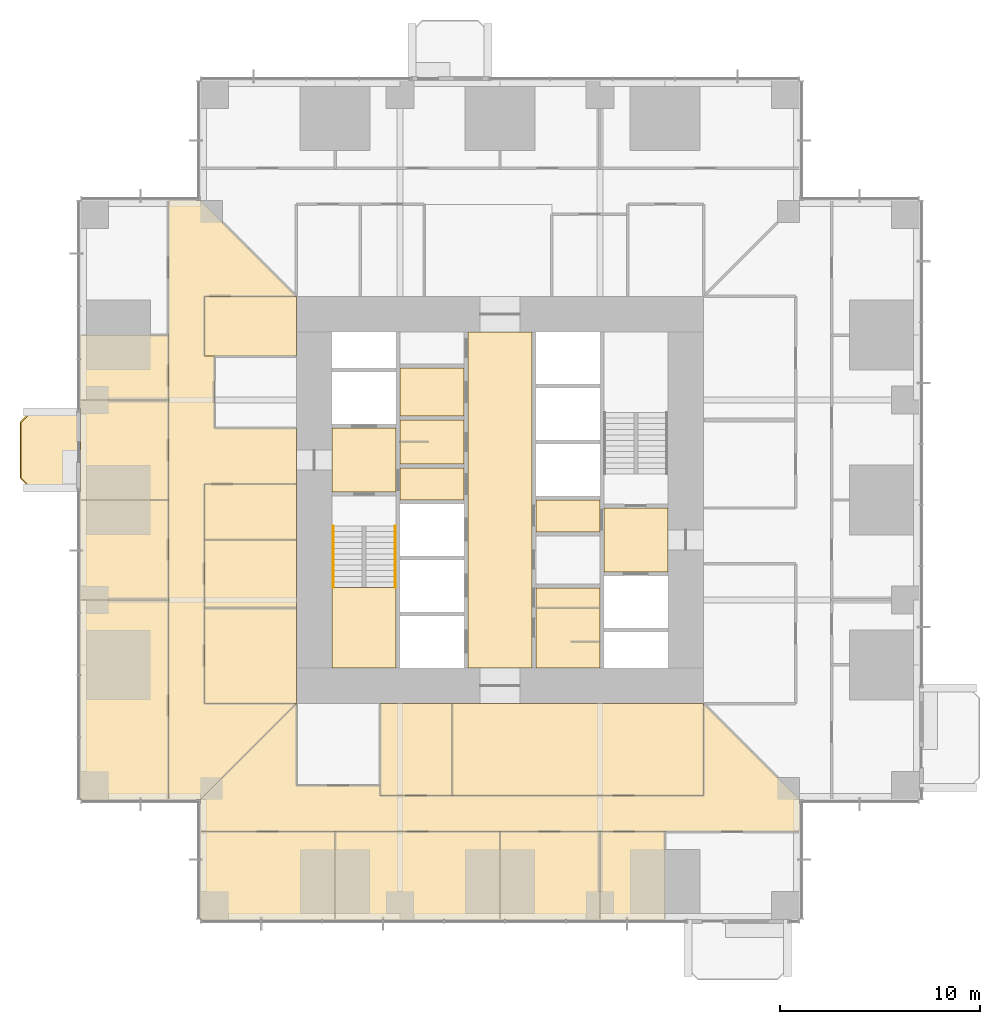
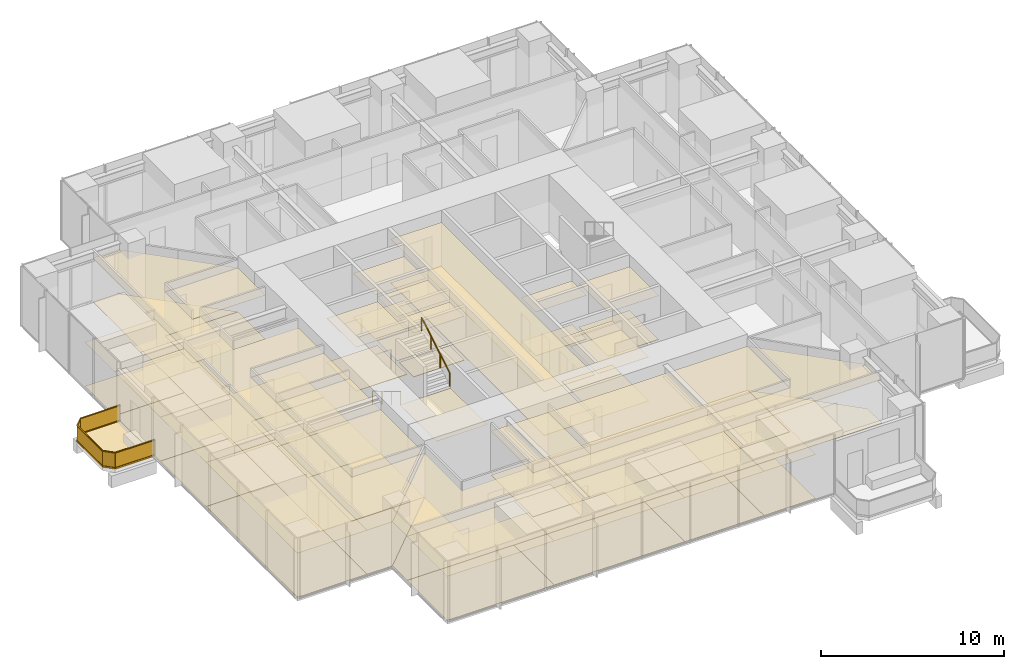
# One storey, part 14 of 17: 52 coverings, 3 railings.
"""IFC4 building model written with IfcOpenShell, lengths in metres."""

from ifc_helpers import new_model, si_unit, direction, frame, origin, origin_2d, place, context, subcontext, project, spatial, polyline, rectangle, circle, outline, extrude, material, layer, layer_set, type_object, element, save


model = new_model("IFC4")

# Units and contexts
model_context = context("Model", 3, precision=1e-05, world=origin(), true_north=direction((0.0, 1.0)))
body_context = subcontext(model_context, "Body", "Model", "MODEL_VIEW")
ifc_project = project(units=[si_unit("LENGTHUNIT", "METRE"), si_unit("AREAUNIT", "SQUARE_METRE"), si_unit("VOLUMEUNIT", "CUBIC_METRE"), si_unit("PLANEANGLEUNIT", "RADIAN"), si_unit("MASSUNIT", "GRAM", prefix="KILO")], contexts=[model_context])

# Site, building, storey
site_placement = place(None, origin())
site = spatial("IfcSite", under=ifc_project, at=site_placement, CompositionType="ELEMENT")
building_placement = place(site_placement, origin())
building = spatial("IfcBuilding", under=site, at=building_placement, Name="Svetlomir Tower", CompositionType="ELEMENT")
storey_placement = place(building_placement, frame((0.0, 0.0, 82.5)))
storey = spatial("IfcBuildingStorey", under=building, at=storey_placement, Name="L19", CompositionType="ELEMENT", Elevation=82.5)

# Railing
ifc_material_1 = material(Name="Bronze anodised aluminium and laminated glass", Category="aluminium")
railing_type_1 = type_object("IfcRailingType", Name="BALCONY GUARD GR1 1100", PredefinedType="GUARDRAIL", material=ifc_material_1)
railing_1_placement = place(storey_placement, frame((0.0, 25.39990234375, 0.0)))
element("IfcRailing", 1, at=railing_1_placement, inside=storey, type_object=railing_type_1, Name="Balcony guard W L19", PredefinedType="GUARDRAIL", context=body_context, shape_type="SweptSolid", body=[
    extrude(rectangle(XDim=0.06005859375, YDim=0.10009765625, at=origin_2d()), frame((0.0, 0.0, 0.050048828125), z_axis=(-1.0, 0.0, 0.0), x_axis=(0.0, -1.0, 0.0)), (0.0, 0.0, 1.0), 2.5),
    extrude(rectangle(XDim=0.021484375, YDim=0.960205078125, at=origin_2d()), frame((0.0, 0.0, 0.580078125), z_axis=(-1.0, 0.0, 0.0), x_axis=(0.0, -1.0, 0.0)), (0.0, 0.0, 1.0), 2.5),
    extrude(rectangle(XDim=0.06005859375, YDim=0.0400390625, at=origin_2d()), frame((0.0, 0.0, 1.080078125), z_axis=(-1.0, 0.0, 0.0), x_axis=(0.0, -1.0, 0.0)), (0.0, 0.0, 1.0), 2.5),
    extrude(rectangle(XDim=0.06005859375, YDim=0.10009765625, at=origin_2d()), frame((-2.5, 0.0, 0.050048828125), z_axis=(-0.707106781187, -0.707106781187, 0.0), x_axis=(0.707106781187, -0.707106781187, 0.0)), (0.0, 0.0, 1.0), 0.70703125),
    extrude(rectangle(XDim=0.021484375, YDim=0.960205078125, at=origin_2d()), frame((-2.5, 0.0, 0.580078125), z_axis=(-0.707106781187, -0.707106781187, 0.0), x_axis=(0.707106781187, -0.707106781187, 0.0)), (0.0, 0.0, 1.0), 0.70703125),
    extrude(rectangle(XDim=0.06005859375, YDim=0.0400390625, at=origin_2d()), frame((-2.5, 0.0, 1.080078125), z_axis=(-0.707106781187, -0.707106781187, 0.0), x_axis=(0.707106781187, -0.707106781187, 0.0)), (0.0, 0.0, 1.0), 0.70703125),
    extrude(rectangle(XDim=0.06005859375, YDim=0.10009765625, at=origin_2d()), frame((-3.0, -0.5, 0.050048828125), z_axis=(0.0, -1.0, 0.0), x_axis=(1.0, 0.0, 0.0)), (0.0, 0.0, 1.0), 2.7998046875),
    extrude(rectangle(XDim=0.021484375, YDim=0.960205078125, at=origin_2d()), frame((-3.0, -0.5, 0.580078125), z_axis=(0.0, -1.0, 0.0), x_axis=(1.0, 0.0, 0.0)), (0.0, 0.0, 1.0), 2.7998046875),
    extrude(rectangle(XDim=0.06005859375, YDim=0.0400390625, at=origin_2d()), frame((-3.0, -0.5, 1.080078125), z_axis=(0.0, -1.0, 0.0), x_axis=(1.0, 0.0, 0.0)), (0.0, 0.0, 1.0), 2.7998046875),
    extrude(rectangle(XDim=0.06005859375, YDim=0.10009765625, at=origin_2d()), frame((-3.0, -3.2998046875, 0.050048828125), z_axis=(0.707106781187, -0.707106781187, 0.0), x_axis=(0.707106781187, 0.707106781187, 0.0)), (0.0, 0.0, 1.0), 0.70703125),
    extrude(rectangle(XDim=0.021484375, YDim=0.960205078125, at=origin_2d()), frame((-3.0, -3.2998046875, 0.580078125), z_axis=(0.707106781187, -0.707106781187, 0.0), x_axis=(0.707106781187, 0.707106781187, 0.0)), (0.0, 0.0, 1.0), 0.70703125),
    extrude(rectangle(XDim=0.06005859375, YDim=0.0400390625, at=origin_2d()), frame((-3.0, -3.2998046875, 1.080078125), z_axis=(0.707106781187, -0.707106781187, 0.0), x_axis=(0.707106781187, 0.707106781187, 0.0)), (0.0, 0.0, 1.0), 0.70703125),
    extrude(rectangle(XDim=0.06005859375, YDim=0.10009765625, at=origin_2d()), frame((-2.5, -3.7998046875, 0.050048828125), z_axis=(1.0, 0.0, 0.0), x_axis=(0.0, 1.0, 0.0)), (0.0, 0.0, 1.0), 2.5),
    extrude(rectangle(XDim=0.021484375, YDim=0.960205078125, at=origin_2d()), frame((-2.5, -3.7998046875, 0.580078125), z_axis=(1.0, 0.0, 0.0), x_axis=(0.0, 1.0, 0.0)), (0.0, 0.0, 1.0), 2.5),
    extrude(rectangle(XDim=0.06005859375, YDim=0.0400390625, at=origin_2d()), frame((-2.5, -3.7998046875, 1.080078125), z_axis=(1.0, 0.0, 0.0), x_axis=(0.0, 1.0, 0.0)), (0.0, 0.0, 1.0), 2.5),
])

# Coverings
ifc_material_2 = material(Name="Granite paving slabs on pedestals", Category="masonry")
ifc_layer_1 = layer(ifc_material_2, 0.0400390625)
ifc_layer_set_1 = layer_set([ifc_layer_1], Name="Granite paving slabs on pedestals")
covering_type_1 = type_object("IfcCoveringType", Name="BALCONY PAVING 40", PredefinedType="USERDEFINED", material=ifc_layer_set_1)
covering_1_placement = place(storey_placement, origin())
element("IfcCovering", 2, at=covering_1_placement, inside=storey, type_object=covering_type_1, Name="Balcony paving W L19", ObjectType="BALCONY PAVING", PredefinedType="USERDEFINED", context=body_context, shape_type="SweptSolid", body=[
    extrude(outline(polyline([(-2.5, 21.60009765625), (0.0, 21.60009765625), (0.0, 25.39990234375), (-2.5, 25.39990234375), (-3.0, 24.89990234375), (-3.0, 22.10009765625), (-2.5, 21.60009765625)])), origin(), (0.0, 0.0, 1.0), 0.0400390625),
])
ifc_material_3 = material(Name="Carpet tile", Category="textile")
ifc_layer_2 = layer(ifc_material_3, 0.010009765625)
ifc_layer_set_2 = layer_set([ifc_layer_2], Name="Carpet tile")
covering_type_2 = type_object("IfcCoveringType", Name="CARPET TILE FLOOR 10", PredefinedType="FLOORING", material=ifc_layer_set_2)
covering_2_placement = place(storey_placement, origin())
element("IfcCovering", 3, at=covering_2_placement, inside=storey, type_object=covering_type_2, Name="Floor finish L19-15", PredefinedType="FLOORING", context=body_context, shape_type="SweptSolid", body=[
    extrude(outline(polyline([(15.0, 6.199951171875), (18.60009765625, 6.199951171875), (18.60009765625, 10.800048828125), (15.0, 10.800048828125), (15.0, 6.199951171875)])), origin(), (0.0, 0.0, 1.0), 0.010009765625),
])
covering_3_placement = place(storey_placement, origin())
element("IfcCovering", 4, at=covering_3_placement, inside=storey, type_object=covering_type_2, Name="Floor finish L19-16", PredefinedType="FLOORING", context=body_context, shape_type="SweptSolid", body=[
    extrude(outline(polyline([(6.0, 0.0), (12.75, 0.0), (12.75, 4.39990234375), (6.0, 4.39990234375), (6.0, 0.0)])), origin(), (0.0, 0.0, 1.0), 0.010009765625),
])
covering_4_placement = place(storey_placement, origin())
element("IfcCovering", 5, at=covering_4_placement, inside=storey, type_object=covering_type_2, Name="Floor finish L19-17", PredefinedType="FLOORING", context=body_context, shape_type="SweptSolid", body=[
    extrude(outline(polyline([(21.0, 0.0), (26.0, 0.0), (26.0, 4.39990234375), (21.0, 4.39990234375), (21.0, 0.0)])), origin(), (0.0, 0.0, 1.0), 0.010009765625),
])
covering_5_placement = place(storey_placement, origin())
element("IfcCovering", 6, at=covering_5_placement, inside=storey, type_object=covering_type_2, Name="Floor finish L19-30", PredefinedType="FLOORING", context=body_context, shape_type="SweptSolid", body=[
    extrude(outline(polyline([(6.199951171875, 10.800048828125), (10.800048828125, 10.800048828125), (10.800048828125, 15.60009765625), (6.199951171875, 15.60009765625), (6.199951171875, 10.800048828125)])), origin(), (0.0, 0.0, 1.0), 0.010009765625),
])
covering_6_placement = place(storey_placement, origin())
element("IfcCovering", 7, at=covering_6_placement, inside=storey, type_object=covering_type_2, Name="Floor finish L19-31", PredefinedType="FLOORING", context=body_context, shape_type="SweptSolid", body=[
    extrude(outline(polyline([(6.199951171875, 15.60009765625), (10.800048828125, 15.60009765625), (10.800048828125, 19.0), (6.199951171875, 19.0), (6.199951171875, 15.60009765625)])), origin(), (0.0, 0.0, 1.0), 0.010009765625),
])
covering_7_placement = place(storey_placement, origin())
element("IfcCovering", 8, at=covering_7_placement, inside=storey, type_object=covering_type_2, Name="Floor finish L19-33", PredefinedType="FLOORING", context=body_context, shape_type="SweptSolid", body=[
    extrude(outline(polyline([(0.0, 16.0), (4.39990234375, 16.0), (4.39990234375, 21.0), (0.0, 21.0), (0.0, 16.0)])), origin(), (0.0, 0.0, 1.0), 0.010009765625),
])
covering_8_placement = place(storey_placement, origin())
element("IfcCovering", 9, at=covering_8_placement, inside=storey, type_object=covering_type_2, Name="Floor finish L19-34", PredefinedType="FLOORING", context=body_context, shape_type="SweptSolid", body=[
    extrude(outline(polyline([(0.0, 26.0), (4.39990234375, 26.0), (4.39990234375, 29.25), (0.0, 29.25), (0.0, 26.0)])), origin(), (0.0, 0.0, 1.0), 0.010009765625),
])
covering_9_placement = place(storey_placement, origin())
element("IfcCovering", 10, at=covering_9_placement, inside=storey, type_object=covering_type_2, Name="Floor finish L19-35", PredefinedType="FLOORING", context=body_context, shape_type="SweptSolid", body=[
    extrude(outline(polyline([(36.0, 4.39990234375), (6.0, 4.39990234375), (6.0, 6.0), (10.800048828125, 10.800048828125), (10.800048828125, 6.699951171875), (15.0, 6.699951171875), (15.0, 6.199951171875), (31.199951171875, 6.199951171875), (31.199951171875, 10.800048828125), (36.0, 6.0), (36.0, 4.39990234375)])), origin(), (0.0, 0.0, 1.0), 0.010009765625),
])
covering_10_placement = place(storey_placement, origin())
element("IfcCovering", 11, at=covering_10_placement, inside=storey, type_object=covering_type_2, Name="Floor finish L19-38", PredefinedType="FLOORING", context=body_context, shape_type="SweptSolid", body=[
    extrude(outline(polyline([(4.39990234375, 6.0), (4.39990234375, 36.0), (6.0, 36.0), (10.800048828125, 31.199951171875), (6.199951171875, 31.199951171875), (6.199951171875, 28.199951171875), (6.699951171875, 28.199951171875), (6.699951171875, 24.60009765625), (10.800048828125, 24.60009765625), (10.800048828125, 21.800048828125), (6.199951171875, 21.800048828125), (6.199951171875, 10.800048828125), (10.800048828125, 10.800048828125), (6.0, 6.0), (4.39990234375, 6.0)])), origin(), (0.0, 0.0, 1.0), 0.010009765625),
])
covering_11_placement = place(storey_placement, origin())
element("IfcCovering", 12, at=covering_11_placement, inside=storey, type_object=covering_type_2, Name="Floor finish L19-39", PredefinedType="FLOORING", context=body_context, shape_type="SweptSolid", body=[
    extrude(outline(polyline([(21.0, 4.39990234375), (21.0, 0.0), (12.75, 0.0), (12.75, 4.39990234375), (21.0, 4.39990234375)])), origin(), (0.0, 0.0, 1.0), 0.010009765625),
])
covering_12_placement = place(storey_placement, origin())
element("IfcCovering", 13, at=covering_12_placement, inside=storey, type_object=covering_type_2, Name="Floor finish L19-40", PredefinedType="FLOORING", context=body_context, shape_type="SweptSolid", body=[
    extrude(outline(polyline([(26.0, 0.0), (26.0, 4.39990234375), (29.25, 4.39990234375), (29.25, 0.0), (26.0, 0.0)])), origin(), (0.0, 0.0, 1.0), 0.010009765625),
])
covering_13_placement = place(storey_placement, origin())
element("IfcCovering", 14, at=covering_13_placement, inside=storey, type_object=covering_type_2, Name="Floor finish L19-41", PredefinedType="FLOORING", context=body_context, shape_type="SweptSolid", body=[
    extrude(outline(polyline([(31.199951171875, 10.800048828125), (31.199951171875, 6.199951171875), (18.60009765625, 6.199951171875), (18.60009765625, 10.800048828125), (31.199951171875, 10.800048828125)])), origin(), (0.0, 0.0, 1.0), 0.010009765625),
])
covering_14_placement = place(storey_placement, origin())
element("IfcCovering", 15, at=covering_14_placement, inside=storey, type_object=covering_type_2, Name="Floor finish L19-48", PredefinedType="FLOORING", context=body_context, shape_type="SweptSolid", body=[
    extrude(outline(polyline([(0.0, 16.0), (4.39990234375, 16.0), (4.39990234375, 6.0), (0.0, 6.0), (0.0, 16.0)])), origin(), (0.0, 0.0, 1.0), 0.010009765625),
])
covering_15_placement = place(storey_placement, origin())
element("IfcCovering", 16, at=covering_15_placement, inside=storey, type_object=covering_type_2, Name="Floor finish L19-49", PredefinedType="FLOORING", context=body_context, shape_type="SweptSolid", body=[
    extrude(outline(polyline([(0.0, 26.0), (4.39990234375, 26.0), (4.39990234375, 21.0), (0.0, 21.0), (0.0, 26.0)])), origin(), (0.0, 0.0, 1.0), 0.010009765625),
])
covering_16_placement = place(storey_placement, origin())
element("IfcCovering", 17, at=covering_16_placement, inside=storey, type_object=covering_type_2, Name="Floor finish L19-51", PredefinedType="FLOORING", context=body_context, shape_type="SweptSolid", body=[
    extrude(outline(polyline([(6.199951171875, 28.199951171875), (6.199951171875, 31.199951171875), (10.800048828125, 31.199951171875), (10.800048828125, 28.199951171875), (6.199951171875, 28.199951171875)])), origin(), (0.0, 0.0, 1.0), 0.010009765625),
])
covering_17_placement = place(storey_placement, origin())
element("IfcCovering", 18, at=covering_17_placement, inside=storey, type_object=covering_type_2, Name="Floor finish L19-52", PredefinedType="FLOORING", context=body_context, shape_type="SweptSolid", body=[
    extrude(outline(polyline([(6.199951171875, 19.0), (6.199951171875, 21.800048828125), (10.800048828125, 21.800048828125), (10.800048828125, 19.0), (6.199951171875, 19.0)])), origin(), (0.0, 0.0, 1.0), 0.010009765625),
])
ifc_material_4 = material(Name="Ceramic floor tile", Category="ceramic")
ifc_layer_3 = layer(ifc_material_4, 0.014892578125)
ifc_layer_set_3 = layer_set([ifc_layer_3], Name="Ceramic floor tile")
covering_type_3 = type_object("IfcCoveringType", Name="CERAMIC TILE FLOOR 15", PredefinedType="FLOORING", material=ifc_layer_set_3)
covering_18_placement = place(storey_placement, origin())
element("IfcCovering", 19, at=covering_18_placement, inside=storey, type_object=covering_type_3, Name="Floor finish L19-04", PredefinedType="FLOORING", context=body_context, shape_type="SweptSolid", body=[
    extrude(outline(polyline([(16.0, 22.800048828125), (19.199951171875, 22.800048828125), (19.199951171875, 25.0), (16.0, 25.0), (16.0, 22.800048828125)])), origin(), (0.0, 0.0, 1.0), 0.014892578125),
])
covering_19_placement = place(storey_placement, origin())
element("IfcCovering", 20, at=covering_19_placement, inside=storey, type_object=covering_type_3, Name="Floor finish L19-05", PredefinedType="FLOORING", context=body_context, shape_type="SweptSolid", body=[
    extrude(outline(polyline([(16.0, 25.199951171875), (19.199951171875, 25.199951171875), (19.199951171875, 27.60009765625), (16.0, 27.60009765625), (16.0, 25.199951171875)])), origin(), (0.0, 0.0, 1.0), 0.014892578125),
])
covering_20_placement = place(storey_placement, origin())
element("IfcCovering", 21, at=covering_20_placement, inside=storey, type_object=covering_type_3, Name="Floor finish L19-08", PredefinedType="FLOORING", context=body_context, shape_type="SweptSolid", body=[
    extrude(outline(polyline([(22.800048828125, 15.60009765625), (26.0, 15.60009765625), (26.0, 16.60009765625), (22.800048828125, 16.60009765625), (22.800048828125, 15.60009765625)])), origin(), (0.0, 0.0, 1.0), 0.014892578125),
])
covering_21_placement = place(storey_placement, origin())
element("IfcCovering", 22, at=covering_21_placement, inside=storey, type_object=covering_type_3, Name="Floor finish L19-09", PredefinedType="FLOORING", context=body_context, shape_type="SweptSolid", body=[
    extrude(outline(polyline([(22.800048828125, 12.60009765625), (26.0, 12.60009765625), (26.0, 15.60009765625), (22.800048828125, 15.60009765625), (22.800048828125, 12.60009765625)])), origin(), (0.0, 0.0, 1.0), 0.014892578125),
])

# Railings
ifc_material_5 = material(Name="Stainless steel", Category="steel")
railing_type_2 = type_object("IfcRailingType", Name="HANDRAIL HR1 900", PredefinedType="HANDRAIL", material=ifc_material_5)
railing_2_placement = place(storey_placement, frame((12.64990234375, 19.699951171875, 0.166748046875)))
element("IfcRailing", 23, at=railing_2_placement, inside=storey, type_object=railing_type_2, Name="Handrail S1 flight 1 L19", PredefinedType="HANDRAIL", context=body_context, shape_type="SweptSolid", body=[
    extrude(circle(Radius=0.02392578125, at=origin_2d()), frame((0.0, 0.0, 0.8759765625), z_axis=(0.0, -0.859290745958, 0.51148745235), x_axis=(1.0, 0.0, 0.0)), (0.0, 0.0, 1.0), 3.584228515625),
    extrude(circle(Radius=0.02099609375, at=origin_2d()), origin(), (0.0, 0.0, 1.0), 0.851806640625),
    extrude(circle(Radius=0.02099609375, at=origin_2d()), frame((0.0, -1.026611328125, 0.611083984375)), (0.0, 0.0, 1.0), 0.851806640625),
    extrude(circle(Radius=0.02099609375, at=origin_2d()), frame((0.0, -2.05322265625, 1.22216796875)), (0.0, 0.0, 1.0), 0.851806640625),
    extrude(circle(Radius=0.02099609375, at=origin_2d()), frame((0.0, -3.079833984375, 1.833251953125)), (0.0, 0.0, 1.0), 0.851806640625),
])
railing_3_placement = place(storey_placement, frame((15.75, 16.6201171875, 2.166748046875)))
element("IfcRailing", 24, at=railing_3_placement, inside=storey, type_object=railing_type_2, Name="Handrail S1 flight 2 L19", PredefinedType="HANDRAIL", context=body_context, shape_type="SweptSolid", body=[
    extrude(circle(Radius=0.02392578125, at=origin_2d()), frame((0.0, 0.0, 0.8759765625), z_axis=(0.0, 0.859290745958, 0.51148745235), x_axis=(-1.0, 0.0, 0.0)), (0.0, 0.0, 1.0), 3.584228515625),
    extrude(circle(Radius=0.02099609375, at=origin_2d()), origin(), (0.0, 0.0, 1.0), 0.851806640625),
    extrude(circle(Radius=0.02099609375, at=origin_2d()), frame((0.0, 1.026611328125, 0.611083984375)), (0.0, 0.0, 1.0), 0.851806640625),
    extrude(circle(Radius=0.02099609375, at=origin_2d()), frame((0.0, 2.05322265625, 1.22216796875)), (0.0, 0.0, 1.0), 0.851806640625),
    extrude(circle(Radius=0.02099609375, at=origin_2d()), frame((0.0, 3.079833984375, 1.833251953125)), (0.0, 0.0, 1.0), 0.851806640625),
])

# Coverings
ifc_material_6 = material(Name="Moisture resistant plasterboard ceiling", Category="gypsum")
ifc_layer_4 = layer(ifc_material_6, 0.012451171875)
ifc_layer_set_4 = layer_set([ifc_layer_4], Name="Moisture resistant plasterboard ceiling")
covering_type_4 = type_object("IfcCoveringType", Name="MOISTURE RESISTANT CEILING 12.5", PredefinedType="CEILING", material=ifc_layer_set_4)
covering_22_placement = place(storey_placement, frame((0.0, 0.0, 2.9375)))
element("IfcCovering", 25, at=covering_22_placement, inside=storey, type_object=covering_type_4, Name="Ceiling L19-04", PredefinedType="CEILING", context=body_context, shape_type="SweptSolid", body=[
    extrude(outline(polyline([(16.0, 22.800048828125), (19.199951171875, 22.800048828125), (19.199951171875, 25.0), (16.0, 25.0), (16.0, 22.800048828125)])), origin(), (0.0, 0.0, 1.0), 0.012451171875),
])
covering_23_placement = place(storey_placement, frame((0.0, 0.0, 2.9375)))
element("IfcCovering", 26, at=covering_23_placement, inside=storey, type_object=covering_type_4, Name="Ceiling L19-05", PredefinedType="CEILING", context=body_context, shape_type="SweptSolid", body=[
    extrude(outline(polyline([(16.0, 25.199951171875), (19.199951171875, 25.199951171875), (19.199951171875, 27.60009765625), (16.0, 27.60009765625), (16.0, 25.199951171875)])), origin(), (0.0, 0.0, 1.0), 0.012451171875),
])
covering_24_placement = place(storey_placement, frame((0.0, 0.0, 2.9375)))
element("IfcCovering", 27, at=covering_24_placement, inside=storey, type_object=covering_type_4, Name="Ceiling L19-08", PredefinedType="CEILING", context=body_context, shape_type="SweptSolid", body=[
    extrude(outline(polyline([(22.800048828125, 15.60009765625), (26.0, 15.60009765625), (26.0, 16.60009765625), (22.800048828125, 16.60009765625), (22.800048828125, 15.60009765625)])), origin(), (0.0, 0.0, 1.0), 0.012451171875),
])
covering_25_placement = place(storey_placement, frame((0.0, 0.0, 2.9375)))
element("IfcCovering", 28, at=covering_25_placement, inside=storey, type_object=covering_type_4, Name="Ceiling L19-09", PredefinedType="CEILING", context=body_context, shape_type="SweptSolid", body=[
    extrude(outline(polyline([(22.800048828125, 12.60009765625), (26.0, 12.60009765625), (26.0, 15.60009765625), (22.800048828125, 15.60009765625), (22.800048828125, 12.60009765625)])), origin(), (0.0, 0.0, 1.0), 0.012451171875),
])
ifc_material_7 = material(Name="Gypsum plasterboard ceiling", Category="gypsum")
ifc_layer_5 = layer(ifc_material_7, 0.014892578125)
ifc_layer_set_5 = layer_set([ifc_layer_5], Name="Gypsum plasterboard ceiling")
covering_type_5 = type_object("IfcCoveringType", Name="PLASTERBOARD CEILING 15", PredefinedType="CEILING", material=ifc_layer_set_5)
covering_26_placement = place(storey_placement, frame((0.0, 0.0, 2.93505859375)))
element("IfcCovering", 29, at=covering_26_placement, inside=storey, type_object=covering_type_5, Name="Ceiling L19-02", PredefinedType="CEILING", context=body_context, shape_type="SweptSolid", body=[
    extrude(outline(polyline([(12.60009765625, 21.39990234375), (15.800048828125, 21.39990234375), (15.800048828125, 24.60009765625), (12.60009765625, 24.60009765625), (12.60009765625, 21.39990234375)])), origin(), (0.0, 0.0, 1.0), 0.014892578125),
])
covering_27_placement = place(storey_placement, frame((0.0, 0.0, 2.93505859375)))
element("IfcCovering", 30, at=covering_27_placement, inside=storey, type_object=covering_type_5, Name="Ceiling L19-03", PredefinedType="CEILING", context=body_context, shape_type="SweptSolid", body=[
    extrude(outline(polyline([(16.0, 21.0), (19.199951171875, 21.0), (19.199951171875, 22.60009765625), (16.0, 22.60009765625), (16.0, 21.0)])), origin(), (0.0, 0.0, 1.0), 0.014892578125),
])
covering_28_placement = place(storey_placement, frame((0.0, 0.0, 2.93505859375)))
element("IfcCovering", 31, at=covering_28_placement, inside=storey, type_object=covering_type_5, Name="Ceiling L19-07", PredefinedType="CEILING", context=body_context, shape_type="SweptSolid", body=[
    extrude(outline(polyline([(19.39990234375, 12.60009765625), (22.60009765625, 12.60009765625), (22.60009765625, 29.39990234375), (19.39990234375, 29.39990234375), (19.39990234375, 12.60009765625)])), origin(), (0.0, 0.0, 1.0), 0.014892578125),
])
covering_29_placement = place(storey_placement, frame((0.0, 0.0, 2.93505859375)))
element("IfcCovering", 32, at=covering_29_placement, inside=storey, type_object=covering_type_5, Name="Ceiling L19-11", PredefinedType="CEILING", context=body_context, shape_type="SweptSolid", body=[
    extrude(outline(polyline([(22.800048828125, 19.39990234375), (26.0, 19.39990234375), (26.0, 21.0), (22.800048828125, 21.0), (22.800048828125, 19.39990234375)])), origin(), (0.0, 0.0, 1.0), 0.014892578125),
])
covering_30_placement = place(storey_placement, frame((0.0, 0.0, 2.93505859375)))
element("IfcCovering", 33, at=covering_30_placement, inside=storey, type_object=covering_type_5, Name="Ceiling L19-12", PredefinedType="CEILING", context=body_context, shape_type="SweptSolid", body=[
    extrude(outline(polyline([(26.199951171875, 17.39990234375), (29.39990234375, 17.39990234375), (29.39990234375, 20.60009765625), (26.199951171875, 20.60009765625), (26.199951171875, 17.39990234375)])), origin(), (0.0, 0.0, 1.0), 0.014892578125),
])
ifc_material_8 = material(Name="Studded rubber floor finish", Category="rubber")
ifc_layer_6 = layer(ifc_material_8, 0.006103515625)
ifc_layer_set_6 = layer_set([ifc_layer_6], Name="Studded rubber floor finish")
covering_type_6 = type_object("IfcCoveringType", Name="RUBBER LANDING FINISH 6", PredefinedType="FLOORING", material=ifc_layer_set_6)
covering_31_placement = place(storey_placement, frame((0.0, 0.0, 2.0)))
element("IfcCovering", 34, at=covering_31_placement, inside=storey, type_object=covering_type_6, Name="Stair S1 landing finish L19", PredefinedType="FLOORING", context=body_context, shape_type="SweptSolid", body=[
    extrude(outline(polyline([(12.60009765625, 12.60009765625), (15.800048828125, 12.60009765625), (15.800048828125, 16.6201171875), (12.60009765625, 16.6201171875), (12.60009765625, 12.60009765625)])), origin(), (0.0, 0.0, 1.0), 0.006103515625),
])
ifc_material_9 = material(Name="Mineral fibre ceiling tile", Category="mineral")
ifc_layer_7 = layer(ifc_material_9, 0.02001953125)
ifc_layer_set_7 = layer_set([ifc_layer_7], Name="Mineral fibre ceiling tile")
covering_type_7 = type_object("IfcCoveringType", Name="SUSPENDED CEILING 20", PredefinedType="CEILING", material=ifc_layer_set_7)
covering_32_placement = place(storey_placement, frame((0.0, 0.0, 2.929931640625)))
element("IfcCovering", 35, at=covering_32_placement, inside=storey, type_object=covering_type_7, Name="Ceiling L19-15", PredefinedType="CEILING", context=body_context, shape_type="SweptSolid", body=[
    extrude(outline(polyline([(15.0, 6.199951171875), (18.60009765625, 6.199951171875), (18.60009765625, 10.800048828125), (15.0, 10.800048828125), (15.0, 6.199951171875)])), origin(), (0.0, 0.0, 1.0), 0.02001953125),
])
covering_33_placement = place(storey_placement, frame((0.0, 0.0, 2.929931640625)))
element("IfcCovering", 36, at=covering_33_placement, inside=storey, type_object=covering_type_7, Name="Ceiling L19-16", PredefinedType="CEILING", context=body_context, shape_type="SweptSolid", body=[
    extrude(outline(polyline([(6.0, 0.0), (12.75, 0.0), (12.75, 4.39990234375), (6.0, 4.39990234375), (6.0, 0.0)])), origin(), (0.0, 0.0, 1.0), 0.02001953125),
])
covering_34_placement = place(storey_placement, frame((0.0, 0.0, 2.929931640625)))
element("IfcCovering", 37, at=covering_34_placement, inside=storey, type_object=covering_type_7, Name="Ceiling L19-17", PredefinedType="CEILING", context=body_context, shape_type="SweptSolid", body=[
    extrude(outline(polyline([(21.0, 0.0), (26.0, 0.0), (26.0, 4.39990234375), (21.0, 4.39990234375), (21.0, 0.0)])), origin(), (0.0, 0.0, 1.0), 0.02001953125),
])
covering_35_placement = place(storey_placement, frame((0.0, 0.0, 2.929931640625)))
element("IfcCovering", 38, at=covering_35_placement, inside=storey, type_object=covering_type_7, Name="Ceiling L19-30", PredefinedType="CEILING", context=body_context, shape_type="SweptSolid", body=[
    extrude(outline(polyline([(6.199951171875, 10.800048828125), (10.800048828125, 10.800048828125), (10.800048828125, 15.60009765625), (6.199951171875, 15.60009765625), (6.199951171875, 10.800048828125)])), origin(), (0.0, 0.0, 1.0), 0.02001953125),
])
covering_36_placement = place(storey_placement, frame((0.0, 0.0, 2.929931640625)))
element("IfcCovering", 39, at=covering_36_placement, inside=storey, type_object=covering_type_7, Name="Ceiling L19-31", PredefinedType="CEILING", context=body_context, shape_type="SweptSolid", body=[
    extrude(outline(polyline([(6.199951171875, 15.60009765625), (10.800048828125, 15.60009765625), (10.800048828125, 19.0), (6.199951171875, 19.0), (6.199951171875, 15.60009765625)])), origin(), (0.0, 0.0, 1.0), 0.02001953125),
])
covering_37_placement = place(storey_placement, frame((0.0, 0.0, 2.929931640625)))
element("IfcCovering", 40, at=covering_37_placement, inside=storey, type_object=covering_type_7, Name="Ceiling L19-33", PredefinedType="CEILING", context=body_context, shape_type="SweptSolid", body=[
    extrude(outline(polyline([(0.0, 16.0), (4.39990234375, 16.0), (4.39990234375, 21.0), (0.0, 21.0), (0.0, 16.0)])), origin(), (0.0, 0.0, 1.0), 0.02001953125),
])
covering_38_placement = place(storey_placement, frame((0.0, 0.0, 2.929931640625)))
element("IfcCovering", 41, at=covering_38_placement, inside=storey, type_object=covering_type_7, Name="Ceiling L19-34", PredefinedType="CEILING", context=body_context, shape_type="SweptSolid", body=[
    extrude(outline(polyline([(0.0, 26.0), (4.39990234375, 26.0), (4.39990234375, 29.25), (0.0, 29.25), (0.0, 26.0)])), origin(), (0.0, 0.0, 1.0), 0.02001953125),
])
covering_39_placement = place(storey_placement, frame((0.0, 0.0, 2.929931640625)))
element("IfcCovering", 42, at=covering_39_placement, inside=storey, type_object=covering_type_7, Name="Ceiling L19-35", PredefinedType="CEILING", context=body_context, shape_type="SweptSolid", body=[
    extrude(outline(polyline([(36.0, 4.39990234375), (6.0, 4.39990234375), (6.0, 6.0), (10.800048828125, 10.800048828125), (10.800048828125, 6.699951171875), (15.0, 6.699951171875), (15.0, 6.199951171875), (31.199951171875, 6.199951171875), (31.199951171875, 10.800048828125), (36.0, 6.0), (36.0, 4.39990234375)])), origin(), (0.0, 0.0, 1.0), 0.02001953125),
])
covering_40_placement = place(storey_placement, frame((0.0, 0.0, 2.929931640625)))
element("IfcCovering", 43, at=covering_40_placement, inside=storey, type_object=covering_type_7, Name="Ceiling L19-38", PredefinedType="CEILING", context=body_context, shape_type="SweptSolid", body=[
    extrude(outline(polyline([(4.39990234375, 6.0), (4.39990234375, 36.0), (6.0, 36.0), (10.800048828125, 31.199951171875), (6.199951171875, 31.199951171875), (6.199951171875, 28.199951171875), (6.699951171875, 28.199951171875), (6.699951171875, 24.60009765625), (10.800048828125, 24.60009765625), (10.800048828125, 21.800048828125), (6.199951171875, 21.800048828125), (6.199951171875, 10.800048828125), (10.800048828125, 10.800048828125), (6.0, 6.0), (4.39990234375, 6.0)])), origin(), (0.0, 0.0, 1.0), 0.02001953125),
])
covering_41_placement = place(storey_placement, frame((0.0, 0.0, 2.929931640625)))
element("IfcCovering", 44, at=covering_41_placement, inside=storey, type_object=covering_type_7, Name="Ceiling L19-39", PredefinedType="CEILING", context=body_context, shape_type="SweptSolid", body=[
    extrude(outline(polyline([(21.0, 4.39990234375), (21.0, 0.0), (12.75, 0.0), (12.75, 4.39990234375), (21.0, 4.39990234375)])), origin(), (0.0, 0.0, 1.0), 0.02001953125),
])
covering_42_placement = place(storey_placement, frame((0.0, 0.0, 2.929931640625)))
element("IfcCovering", 45, at=covering_42_placement, inside=storey, type_object=covering_type_7, Name="Ceiling L19-40", PredefinedType="CEILING", context=body_context, shape_type="SweptSolid", body=[
    extrude(outline(polyline([(26.0, 0.0), (26.0, 4.39990234375), (29.25, 4.39990234375), (29.25, 0.0), (26.0, 0.0)])), origin(), (0.0, 0.0, 1.0), 0.02001953125),
])
covering_43_placement = place(storey_placement, frame((0.0, 0.0, 2.929931640625)))
element("IfcCovering", 46, at=covering_43_placement, inside=storey, type_object=covering_type_7, Name="Ceiling L19-41", PredefinedType="CEILING", context=body_context, shape_type="SweptSolid", body=[
    extrude(outline(polyline([(31.199951171875, 10.800048828125), (31.199951171875, 6.199951171875), (18.60009765625, 6.199951171875), (18.60009765625, 10.800048828125), (31.199951171875, 10.800048828125)])), origin(), (0.0, 0.0, 1.0), 0.02001953125),
])
covering_44_placement = place(storey_placement, frame((0.0, 0.0, 2.929931640625)))
element("IfcCovering", 47, at=covering_44_placement, inside=storey, type_object=covering_type_7, Name="Ceiling L19-48", PredefinedType="CEILING", context=body_context, shape_type="SweptSolid", body=[
    extrude(outline(polyline([(0.0, 16.0), (4.39990234375, 16.0), (4.39990234375, 6.0), (0.0, 6.0), (0.0, 16.0)])), origin(), (0.0, 0.0, 1.0), 0.02001953125),
])
covering_45_placement = place(storey_placement, frame((0.0, 0.0, 2.929931640625)))
element("IfcCovering", 48, at=covering_45_placement, inside=storey, type_object=covering_type_7, Name="Ceiling L19-49", PredefinedType="CEILING", context=body_context, shape_type="SweptSolid", body=[
    extrude(outline(polyline([(0.0, 26.0), (4.39990234375, 26.0), (4.39990234375, 21.0), (0.0, 21.0), (0.0, 26.0)])), origin(), (0.0, 0.0, 1.0), 0.02001953125),
])
covering_46_placement = place(storey_placement, frame((0.0, 0.0, 2.929931640625)))
element("IfcCovering", 49, at=covering_46_placement, inside=storey, type_object=covering_type_7, Name="Ceiling L19-51", PredefinedType="CEILING", context=body_context, shape_type="SweptSolid", body=[
    extrude(outline(polyline([(6.199951171875, 28.199951171875), (6.199951171875, 31.199951171875), (10.800048828125, 31.199951171875), (10.800048828125, 28.199951171875), (6.199951171875, 28.199951171875)])), origin(), (0.0, 0.0, 1.0), 0.02001953125),
])
covering_47_placement = place(storey_placement, frame((0.0, 0.0, 2.929931640625)))
element("IfcCovering", 50, at=covering_47_placement, inside=storey, type_object=covering_type_7, Name="Ceiling L19-52", PredefinedType="CEILING", context=body_context, shape_type="SweptSolid", body=[
    extrude(outline(polyline([(6.199951171875, 19.0), (6.199951171875, 21.800048828125), (10.800048828125, 21.800048828125), (10.800048828125, 19.0), (6.199951171875, 19.0)])), origin(), (0.0, 0.0, 1.0), 0.02001953125),
])
ifc_material_10 = material(Name="Bronze-aggregate terrazzo", Category="stone")
ifc_layer_8 = layer(ifc_material_10, 0.030029296875)
ifc_layer_set_8 = layer_set([ifc_layer_8], Name="Bronze-aggregate terrazzo")
covering_type_8 = type_object("IfcCoveringType", Name="TERRAZZO FLOOR 30", PredefinedType="FLOORING", material=ifc_layer_set_8)
covering_48_placement = place(storey_placement, origin())
element("IfcCovering", 51, at=covering_48_placement, inside=storey, type_object=covering_type_8, Name="Floor finish L19-02", PredefinedType="FLOORING", context=body_context, shape_type="SweptSolid", body=[
    extrude(outline(polyline([(12.60009765625, 21.39990234375), (15.800048828125, 21.39990234375), (15.800048828125, 24.60009765625), (12.60009765625, 24.60009765625), (12.60009765625, 21.39990234375)])), origin(), (0.0, 0.0, 1.0), 0.030029296875),
])
covering_49_placement = place(storey_placement, origin())
element("IfcCovering", 52, at=covering_49_placement, inside=storey, type_object=covering_type_8, Name="Floor finish L19-03", PredefinedType="FLOORING", context=body_context, shape_type="SweptSolid", body=[
    extrude(outline(polyline([(16.0, 21.0), (19.199951171875, 21.0), (19.199951171875, 22.60009765625), (16.0, 22.60009765625), (16.0, 21.0)])), origin(), (0.0, 0.0, 1.0), 0.030029296875),
])
covering_50_placement = place(storey_placement, origin())
element("IfcCovering", 53, at=covering_50_placement, inside=storey, type_object=covering_type_8, Name="Floor finish L19-07", PredefinedType="FLOORING", context=body_context, shape_type="SweptSolid", body=[
    extrude(outline(polyline([(19.39990234375, 12.60009765625), (22.60009765625, 12.60009765625), (22.60009765625, 29.39990234375), (19.39990234375, 29.39990234375), (19.39990234375, 12.60009765625)])), origin(), (0.0, 0.0, 1.0), 0.030029296875),
])
covering_51_placement = place(storey_placement, origin())
element("IfcCovering", 54, at=covering_51_placement, inside=storey, type_object=covering_type_8, Name="Floor finish L19-11", PredefinedType="FLOORING", context=body_context, shape_type="SweptSolid", body=[
    extrude(outline(polyline([(22.800048828125, 19.39990234375), (26.0, 19.39990234375), (26.0, 21.0), (22.800048828125, 21.0), (22.800048828125, 19.39990234375)])), origin(), (0.0, 0.0, 1.0), 0.030029296875),
])
covering_52_placement = place(storey_placement, origin())
element("IfcCovering", 55, at=covering_52_placement, inside=storey, type_object=covering_type_8, Name="Floor finish L19-12", PredefinedType="FLOORING", context=body_context, shape_type="SweptSolid", body=[
    extrude(outline(polyline([(26.199951171875, 17.39990234375), (29.39990234375, 17.39990234375), (29.39990234375, 20.60009765625), (26.199951171875, 20.60009765625), (26.199951171875, 17.39990234375)])), origin(), (0.0, 0.0, 1.0), 0.030029296875),
])

save(model, "model.ifc")
